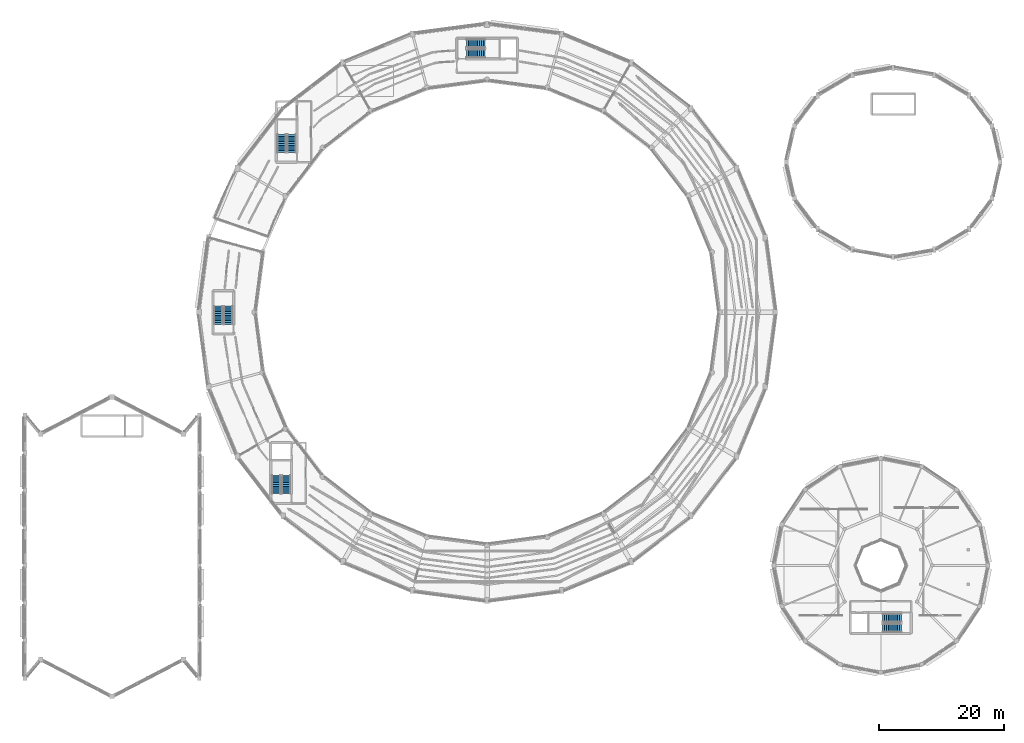
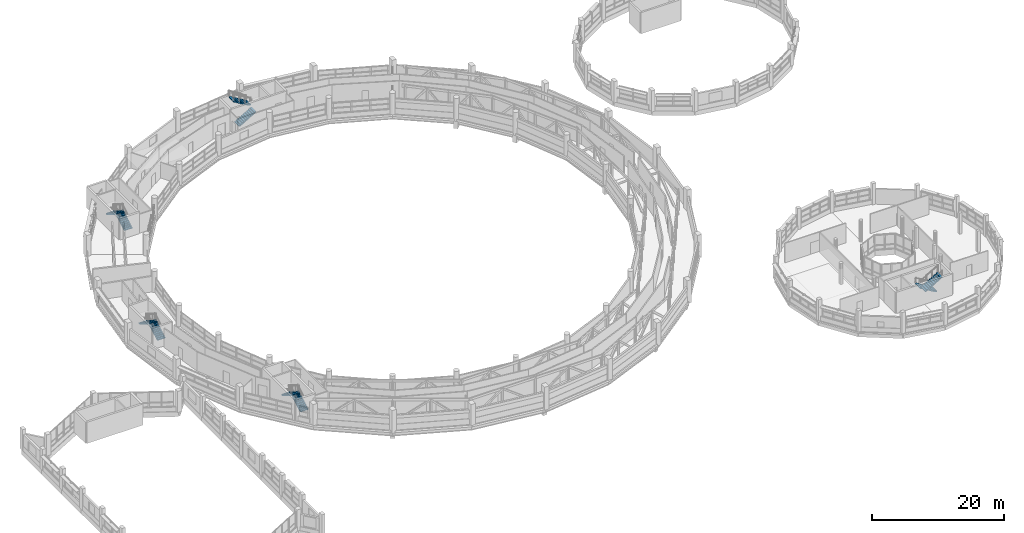
# One storey, part 108 of 121: 10 stair flights, 5 elements without a shape of their own.
"""IFC4 building model written with IfcOpenShell, lengths in metres."""

from ifc_helpers import new_model, si_unit, direction, frame, origin, place, context, subcontext, project, spatial, polyline, outline, extrude, material, type_object, element, aggregate, save


model = new_model("IFC4")

# Units and contexts
model_context = context("Model", 3, precision=1e-05, world=origin(), true_north=direction((0.0, 1.0)))
body_context = subcontext(model_context, "Body", "Model", "MODEL_VIEW")
ifc_project = project(units=[si_unit("LENGTHUNIT", "METRE"), si_unit("AREAUNIT", "SQUARE_METRE"), si_unit("VOLUMEUNIT", "CUBIC_METRE"), si_unit("PLANEANGLEUNIT", "RADIAN"), si_unit("MASSUNIT", "GRAM", prefix="KILO")], contexts=[model_context])

# Site, building, storey
site_placement = place(None, origin())
site = spatial("IfcSite", under=ifc_project, at=site_placement, CompositionType="ELEMENT")
building_placement = place(site_placement, origin())
building = spatial("IfcBuilding", under=site, at=building_placement, Name="Vespera Passage Community Centre", CompositionType="ELEMENT")
storey_placement = place(building_placement, frame((0.0, 0.0, 8.699951171875)))
storey = spatial("IfcBuildingStorey", under=building, at=storey_placement, Name="L02", CompositionType="ELEMENT", Elevation=8.699951171875)

# Stair, stair flights
ifc_material_1 = material(Name="Concrete f'c 35 MPa", Category="concrete")
stair_type_1 = type_object("IfcStairType", Name="ST-T03", PredefinedType="HALF_TURN_STAIR", material=ifc_material_1)
stair_1_placement = place(storey_placement, origin())
stair_1 = element("IfcStair", 1, at=stair_1_placement, inside=storey, type_object=stair_type_1, Name="L02 Core C1 Exit Stair ST03", PredefinedType="HALF_TURN_STAIR")
ifc_material_2 = material(Name="Concrete f'c 35 MPa", Category="concrete")
stair_flight_type_1 = type_object("IfcStairFlightType", Name="STF-T03", PredefinedType="STRAIGHT", material=ifc_material_2)
stair_flight_1_placement = place(storey_placement, frame((46.73291015625, 91.077880859375, 0.0), z_axis=(0.0, 0.0, 1.0), x_axis=(0.0, 1.0, 0.0)))
stair_flight_1 = element("IfcStairFlight", 2, at=stair_flight_1_placement, type_object=stair_flight_type_1, Name="ST03 flight 1", NumberOfRisers=11, NumberOfTreads=10, PredefinedType="STRAIGHT", RiserHeight=0.177272727, TreadLength=0.285, context=body_context, shape_type="SweptSolid", body=[
    extrude(outline(polyline([(0.0, 0.0), (0.0, 0.17724609375), (0.284912109375, 0.17724609375), (0.284912109375, 0.3544921875), (0.570068359375, 0.3544921875), (0.570068359375, 0.53173828125), (0.85498046875, 0.53173828125), (0.85498046875, 0.708984375), (1.139892578125, 0.708984375), (1.139892578125, 0.886474609375), (1.425048828125, 0.886474609375), (1.425048828125, 1.063720703125), (1.7099609375, 1.063720703125), (1.7099609375, 1.240966796875), (1.9951171875, 1.240966796875), (1.9951171875, 1.418212890625), (2.280029296875, 1.418212890625), (2.280029296875, 1.595458984375), (2.56494140625, 1.595458984375), (2.56494140625, 1.772705078125), (2.85009765625, 1.772705078125), (2.85009765625, 1.949951171875), (2.85009765625, 1.59619140625), (0.283935546875, 0.0), (0.0, 0.0)])), frame((0.0, 0.699951171875, 0.0), z_axis=(0.0, -1.0, 0.0), x_axis=(1.0, 0.0, 0.0)), (0.0, 0.0, 1.0), 1.39990234375),
])
stair_flight_2_placement = place(storey_placement, frame((45.133056640625, 93.927978515625, 1.949951171875), z_axis=(0.0, 0.0, 1.0), x_axis=(0.0, -1.0, 0.0)))
stair_flight_2 = element("IfcStairFlight", 3, at=stair_flight_2_placement, type_object=stair_flight_type_1, Name="ST03 flight 2", NumberOfRisers=11, NumberOfTreads=10, PredefinedType="STRAIGHT", RiserHeight=0.177272727, TreadLength=0.285, context=body_context, shape_type="SweptSolid", body=[
    extrude(outline(polyline([(0.0, 0.0), (0.0, 0.17724609375), (0.284912109375, 0.17724609375), (0.284912109375, 0.3544921875), (0.570068359375, 0.3544921875), (0.570068359375, 0.53173828125), (0.85498046875, 0.53173828125), (0.85498046875, 0.708984375), (1.139892578125, 0.708984375), (1.139892578125, 0.886474609375), (1.425048828125, 0.886474609375), (1.425048828125, 1.063720703125), (1.7099609375, 1.063720703125), (1.7099609375, 1.240966796875), (1.9951171875, 1.240966796875), (1.9951171875, 1.418212890625), (2.280029296875, 1.418212890625), (2.280029296875, 1.595458984375), (2.56494140625, 1.595458984375), (2.56494140625, 1.772705078125), (2.85009765625, 1.772705078125), (2.85009765625, 1.949951171875), (2.85009765625, 1.59619140625), (0.283935546875, 0.0), (0.0, 0.0)])), frame((0.0, 0.699951171875, 0.0), z_axis=(0.0, -1.0, 0.0), x_axis=(1.0, 0.0, 0.0)), (0.0, 0.0, 1.0), 1.39990234375),
])
aggregate(stair_1, [stair_flight_1, stair_flight_2])

ifc_material_3 = material(Name="Concrete f'c 35 MPa", Category="concrete")
stair_type_2 = type_object("IfcStairType", Name="ST-T06", PredefinedType="HALF_TURN_STAIR", material=ifc_material_3)
stair_2_placement = place(storey_placement, origin())
stair_2 = element("IfcStair", 4, at=stair_2_placement, inside=storey, type_object=stair_type_2, Name="L02 Core C2 Exit Stair ST04", PredefinedType="HALF_TURN_STAIR")
ifc_material_4 = material(Name="Concrete f'c 35 MPa", Category="concrete")
stair_flight_type_2 = type_object("IfcStairFlightType", Name="STF-T06", PredefinedType="STRAIGHT", material=ifc_material_4)
stair_flight_3_placement = place(storey_placement, frame((36.60009765625, 63.574951171875, 0.0), z_axis=(0.0, 0.0, 1.0), x_axis=(0.0, 1.0, 0.0)))
stair_flight_3 = element("IfcStairFlight", 5, at=stair_flight_3_placement, type_object=stair_flight_type_2, Name="ST04 flight 1", NumberOfRisers=11, NumberOfTreads=10, PredefinedType="STRAIGHT", RiserHeight=0.177272727, TreadLength=0.29, context=body_context, shape_type="SweptSolid", body=[
    extrude(outline(polyline([(0.0, 0.0), (0.0, 0.17724609375), (0.2900390625, 0.17724609375), (0.2900390625, 0.3544921875), (0.580078125, 0.3544921875), (0.580078125, 0.53173828125), (0.8701171875, 0.53173828125), (0.8701171875, 0.708984375), (1.159912109375, 0.708984375), (1.159912109375, 0.886474609375), (1.449951171875, 0.886474609375), (1.449951171875, 1.063720703125), (1.739990234375, 1.063720703125), (1.739990234375, 1.240966796875), (2.030029296875, 1.240966796875), (2.030029296875, 1.418212890625), (2.320068359375, 1.418212890625), (2.320068359375, 1.595458984375), (2.610107421875, 1.595458984375), (2.610107421875, 1.772705078125), (2.89990234375, 1.772705078125), (2.89990234375, 1.949951171875), (2.89990234375, 1.596923828125), (0.287353515625, 0.0), (0.0, 0.0)])), frame((0.0, 0.699951171875, 0.0), z_axis=(0.0, -1.0, 0.0), x_axis=(1.0, 0.0, 0.0)), (0.0, 0.0, 1.0), 1.39990234375),
])
stair_flight_4_placement = place(storey_placement, frame((35.0, 66.47509765625, 1.949951171875), z_axis=(0.0, 0.0, 1.0), x_axis=(0.0, -1.0, 0.0)))
stair_flight_4 = element("IfcStairFlight", 6, at=stair_flight_4_placement, type_object=stair_flight_type_2, Name="ST04 flight 2", NumberOfRisers=11, NumberOfTreads=10, PredefinedType="STRAIGHT", RiserHeight=0.177272727, TreadLength=0.29, context=body_context, shape_type="SweptSolid", body=[
    extrude(outline(polyline([(0.0, 0.0), (0.0, 0.17724609375), (0.2900390625, 0.17724609375), (0.2900390625, 0.3544921875), (0.580078125, 0.3544921875), (0.580078125, 0.53173828125), (0.8701171875, 0.53173828125), (0.8701171875, 0.708984375), (1.159912109375, 0.708984375), (1.159912109375, 0.886474609375), (1.449951171875, 0.886474609375), (1.449951171875, 1.063720703125), (1.739990234375, 1.063720703125), (1.739990234375, 1.240966796875), (2.030029296875, 1.240966796875), (2.030029296875, 1.418212890625), (2.320068359375, 1.418212890625), (2.320068359375, 1.595458984375), (2.610107421875, 1.595458984375), (2.610107421875, 1.772705078125), (2.89990234375, 1.772705078125), (2.89990234375, 1.949951171875), (2.89990234375, 1.596923828125), (0.287353515625, 0.0), (0.0, 0.0)])), frame((0.0, 0.699951171875, 0.0), z_axis=(0.0, -1.0, 0.0), x_axis=(1.0, 0.0, 0.0)), (0.0, 0.0, 1.0), 1.39990234375),
])
aggregate(stair_2, [stair_flight_3, stair_flight_4])

ifc_material_5 = material(Name="Concrete f'c 35 MPa", Category="concrete")
stair_type_3 = type_object("IfcStairType", Name="ST-T09", PredefinedType="HALF_TURN_STAIR", material=ifc_material_5)
stair_3_placement = place(storey_placement, origin())
stair_3 = element("IfcStair", 7, at=stair_3_placement, inside=storey, type_object=stair_type_3, Name="L02 Core C3 Exit Stair ST05", PredefinedType="HALF_TURN_STAIR")
ifc_material_6 = material(Name="Concrete f'c 35 MPa", Category="concrete")
stair_flight_type_3 = type_object("IfcStairFlightType", Name="STF-T09", PredefinedType="STRAIGHT", material=ifc_material_6)
stair_flight_5_placement = place(storey_placement, frame((45.861083984375, 36.469970703125, 0.0), z_axis=(0.0, 0.0, 1.0), x_axis=(0.0, 1.0, 0.0)))
stair_flight_5 = element("IfcStairFlight", 8, at=stair_flight_5_placement, type_object=stair_flight_type_3, Name="ST05 flight 1", NumberOfRisers=11, NumberOfTreads=10, PredefinedType="STRAIGHT", RiserHeight=0.177272727, TreadLength=0.295, context=body_context, shape_type="SweptSolid", body=[
    extrude(outline(polyline([(0.0, 0.0), (0.0, 0.17724609375), (0.294921875, 0.17724609375), (0.294921875, 0.3544921875), (0.590087890625, 0.3544921875), (0.590087890625, 0.53173828125), (0.885009765625, 0.53173828125), (0.885009765625, 0.708984375), (1.179931640625, 0.708984375), (1.179931640625, 0.886474609375), (1.47509765625, 0.886474609375), (1.47509765625, 1.063720703125), (1.77001953125, 1.063720703125), (1.77001953125, 1.240966796875), (2.06494140625, 1.240966796875), (2.06494140625, 1.418212890625), (2.360107421875, 1.418212890625), (2.360107421875, 1.595458984375), (2.655029296875, 1.595458984375), (2.655029296875, 1.772705078125), (2.949951171875, 1.772705078125), (2.949951171875, 1.949951171875), (2.949951171875, 1.597900390625), (0.291015625, 0.0), (0.0, 0.0)])), frame((0.0, 0.699951171875, 0.0), z_axis=(0.0, -1.0, 0.0), x_axis=(1.0, 0.0, 0.0)), (0.0, 0.0, 1.0), 1.39990234375),
])
stair_flight_6_placement = place(storey_placement, frame((44.260986328125, 39.419921875, 1.949951171875), z_axis=(0.0, 0.0, 1.0), x_axis=(0.0, -1.0, 0.0)))
stair_flight_6 = element("IfcStairFlight", 9, at=stair_flight_6_placement, type_object=stair_flight_type_3, Name="ST05 flight 2", NumberOfRisers=11, NumberOfTreads=10, PredefinedType="STRAIGHT", RiserHeight=0.177272727, TreadLength=0.295, context=body_context, shape_type="SweptSolid", body=[
    extrude(outline(polyline([(0.0, 0.0), (0.0, 0.17724609375), (0.294921875, 0.17724609375), (0.294921875, 0.3544921875), (0.590087890625, 0.3544921875), (0.590087890625, 0.53173828125), (0.885009765625, 0.53173828125), (0.885009765625, 0.708984375), (1.179931640625, 0.708984375), (1.179931640625, 0.886474609375), (1.47509765625, 0.886474609375), (1.47509765625, 1.063720703125), (1.77001953125, 1.063720703125), (1.77001953125, 1.240966796875), (2.06494140625, 1.240966796875), (2.06494140625, 1.418212890625), (2.360107421875, 1.418212890625), (2.360107421875, 1.595458984375), (2.655029296875, 1.595458984375), (2.655029296875, 1.772705078125), (2.949951171875, 1.772705078125), (2.949951171875, 1.949951171875), (2.949951171875, 1.597900390625), (0.291015625, 0.0), (0.0, 0.0)])), frame((0.0, 0.699951171875, 0.0), z_axis=(0.0, -1.0, 0.0), x_axis=(1.0, 0.0, 0.0)), (0.0, 0.0, 1.0), 1.39990234375),
])
aggregate(stair_3, [stair_flight_5, stair_flight_6])

ifc_material_7 = material(Name="Concrete f'c 35 MPa", Category="concrete")
stair_type_4 = type_object("IfcStairType", Name="ST-T12", PredefinedType="HALF_TURN_STAIR", material=ifc_material_7)
stair_4_placement = place(storey_placement, origin())
stair_4 = element("IfcStair", 10, at=stair_4_placement, inside=storey, type_object=stair_type_4, Name="L02 Core C4 Exit Stair ST06", PredefinedType="HALF_TURN_STAIR")
ifc_material_8 = material(Name="Concrete f'c 35 MPa", Category="concrete")
stair_flight_type_4 = type_object("IfcStairFlightType", Name="STF-T12", PredefinedType="STRAIGHT", material=ifc_material_8)
stair_flight_7_placement = place(storey_placement, frame((74.705078125, 106.89990234375, 0.0), z_axis=(0.0, 0.0, 1.0), x_axis=(1.0, 0.0, 0.0)))
stair_flight_7 = element("IfcStairFlight", 11, at=stair_flight_7_placement, type_object=stair_flight_type_4, Name="ST06 flight 1", NumberOfRisers=11, NumberOfTreads=10, PredefinedType="STRAIGHT", RiserHeight=0.177272727, TreadLength=0.3, context=body_context, shape_type="SweptSolid", body=[
    extrude(outline(polyline([(0.0, 0.0), (0.0, 0.17724609375), (0.300048828125, 0.17724609375), (0.300048828125, 0.3544921875), (0.60009765625, 0.3544921875), (0.60009765625, 0.53173828125), (0.89990234375, 0.53173828125), (0.89990234375, 0.708984375), (1.199951171875, 0.708984375), (1.199951171875, 0.886474609375), (1.5, 0.886474609375), (1.5, 1.063720703125), (1.800048828125, 1.063720703125), (1.800048828125, 1.240966796875), (2.10009765625, 1.240966796875), (2.10009765625, 1.418212890625), (2.39990234375, 1.418212890625), (2.39990234375, 1.595458984375), (2.699951171875, 1.595458984375), (2.699951171875, 1.772705078125), (3.0, 1.772705078125), (3.0, 1.949951171875), (3.0, 1.5986328125), (0.294677734375, 0.0), (0.0, 0.0)])), frame((0.0, 0.699951171875, 0.0), z_axis=(0.0, -1.0, 0.0), x_axis=(1.0, 0.0, 0.0)), (0.0, 0.0, 1.0), 1.39990234375),
])
stair_flight_8_placement = place(storey_placement, frame((77.705078125, 108.5, 1.949951171875), z_axis=(0.0, 0.0, 1.0), x_axis=(-1.0, 0.0, 0.0)))
stair_flight_8 = element("IfcStairFlight", 12, at=stair_flight_8_placement, type_object=stair_flight_type_4, Name="ST06 flight 2", NumberOfRisers=11, NumberOfTreads=10, PredefinedType="STRAIGHT", RiserHeight=0.177272727, TreadLength=0.3, context=body_context, shape_type="SweptSolid", body=[
    extrude(outline(polyline([(0.0, 0.0), (0.0, 0.17724609375), (0.300048828125, 0.17724609375), (0.300048828125, 0.3544921875), (0.60009765625, 0.3544921875), (0.60009765625, 0.53173828125), (0.89990234375, 0.53173828125), (0.89990234375, 0.708984375), (1.199951171875, 0.708984375), (1.199951171875, 0.886474609375), (1.5, 0.886474609375), (1.5, 1.063720703125), (1.800048828125, 1.063720703125), (1.800048828125, 1.240966796875), (2.10009765625, 1.240966796875), (2.10009765625, 1.418212890625), (2.39990234375, 1.418212890625), (2.39990234375, 1.595458984375), (2.699951171875, 1.595458984375), (2.699951171875, 1.772705078125), (3.0, 1.772705078125), (3.0, 1.949951171875), (3.0, 1.5986328125), (0.294677734375, 0.0), (0.0, 0.0)])), frame((0.0, 0.699951171875, 0.0), z_axis=(0.0, -1.0, 0.0), x_axis=(1.0, 0.0, 0.0)), (0.0, 0.0, 1.0), 1.39990234375),
])
aggregate(stair_4, [stair_flight_7, stair_flight_8])

stair_5_placement = place(storey_placement, origin())
stair_5 = element("IfcStair", 13, at=stair_5_placement, inside=storey, type_object=stair_type_4, Name="L02 Core C7 Exit Stair ST08", PredefinedType="HALF_TURN_STAIR")
stair_flight_9_placement = place(storey_placement, frame((144.294921875, 16.60009765625, 0.0), z_axis=(0.0, 0.0, 1.0), x_axis=(-1.0, 0.0, 0.0)))
stair_flight_9 = element("IfcStairFlight", 14, at=stair_flight_9_placement, type_object=stair_flight_type_4, Name="ST08 flight 1", NumberOfRisers=11, NumberOfTreads=10, PredefinedType="STRAIGHT", RiserHeight=0.177272727, TreadLength=0.3, context=body_context, shape_type="SweptSolid", body=[
    extrude(outline(polyline([(0.0, 0.0), (0.0, 0.17724609375), (0.300048828125, 0.17724609375), (0.300048828125, 0.3544921875), (0.60009765625, 0.3544921875), (0.60009765625, 0.53173828125), (0.89990234375, 0.53173828125), (0.89990234375, 0.708984375), (1.199951171875, 0.708984375), (1.199951171875, 0.886474609375), (1.5, 0.886474609375), (1.5, 1.063720703125), (1.800048828125, 1.063720703125), (1.800048828125, 1.240966796875), (2.10009765625, 1.240966796875), (2.10009765625, 1.418212890625), (2.39990234375, 1.418212890625), (2.39990234375, 1.595458984375), (2.699951171875, 1.595458984375), (2.699951171875, 1.772705078125), (3.0, 1.772705078125), (3.0, 1.949951171875), (3.0, 1.5986328125), (0.294677734375, 0.0), (0.0, 0.0)])), frame((0.0, 0.699951171875, 0.0), z_axis=(0.0, -1.0, 0.0), x_axis=(1.0, 0.0, 0.0)), (0.0, 0.0, 1.0), 1.39990234375),
])
stair_flight_10_placement = place(storey_placement, frame((141.294921875, 15.0, 1.949951171875), z_axis=(0.0, 0.0, 1.0), x_axis=(1.0, 0.0, 0.0)))
stair_flight_10 = element("IfcStairFlight", 15, at=stair_flight_10_placement, type_object=stair_flight_type_4, Name="ST08 flight 2", NumberOfRisers=11, NumberOfTreads=10, PredefinedType="STRAIGHT", RiserHeight=0.177272727, TreadLength=0.3, context=body_context, shape_type="SweptSolid", body=[
    extrude(outline(polyline([(0.0, 0.0), (0.0, 0.17724609375), (0.300048828125, 0.17724609375), (0.300048828125, 0.3544921875), (0.60009765625, 0.3544921875), (0.60009765625, 0.53173828125), (0.89990234375, 0.53173828125), (0.89990234375, 0.708984375), (1.199951171875, 0.708984375), (1.199951171875, 0.886474609375), (1.5, 0.886474609375), (1.5, 1.063720703125), (1.800048828125, 1.063720703125), (1.800048828125, 1.240966796875), (2.10009765625, 1.240966796875), (2.10009765625, 1.418212890625), (2.39990234375, 1.418212890625), (2.39990234375, 1.595458984375), (2.699951171875, 1.595458984375), (2.699951171875, 1.772705078125), (3.0, 1.772705078125), (3.0, 1.949951171875), (3.0, 1.5986328125), (0.294677734375, 0.0), (0.0, 0.0)])), frame((0.0, 0.699951171875, 0.0), z_axis=(0.0, -1.0, 0.0), x_axis=(1.0, 0.0, 0.0)), (0.0, 0.0, 1.0), 1.39990234375),
])
aggregate(stair_5, [stair_flight_9, stair_flight_10])

save(model, "model.ifc")
